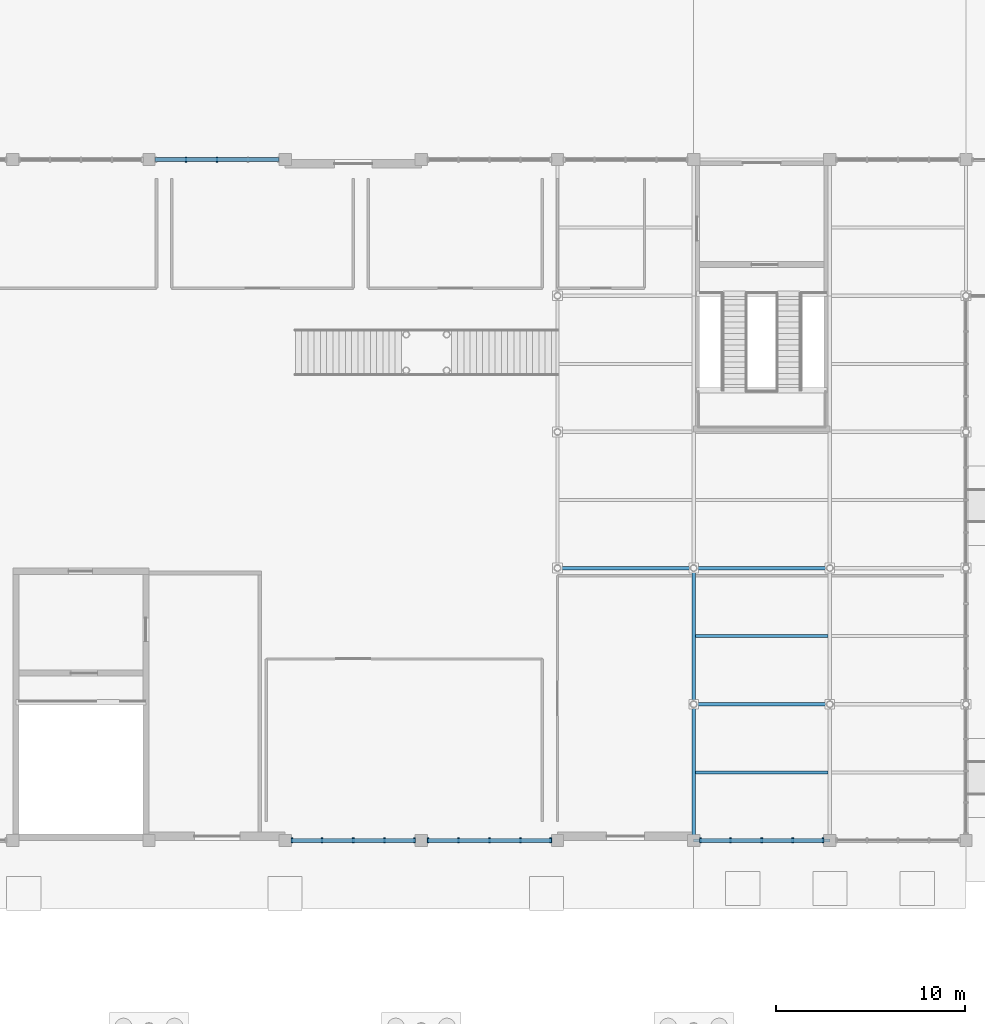
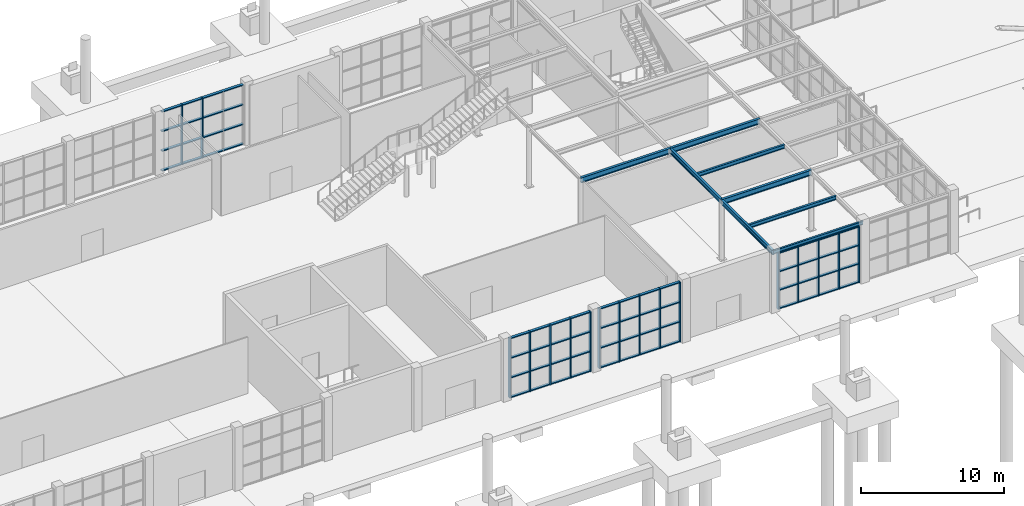
# One storey, part 24 of 75: 33 members, 8 beams, 4 elements without a shape of their own.
"""IFC4 building model written with IfcOpenShell, lengths in metres."""

from ifc_helpers import new_model, si_unit, direction, frame, origin, origin_2d, place, context, subcontext, project, spatial, rectangle, i_section, extrude, material, material_profile, profile_set, type_object, element, aggregate, save


model = new_model("IFC4")

# Units and contexts
model_context = context("Model", 3, precision=1e-05, world=origin(), true_north=direction((0.0, 1.0)))
body_context = subcontext(model_context, "Body", "Model", "MODEL_VIEW")
ifc_project = project(units=[si_unit("LENGTHUNIT", "METRE"), si_unit("AREAUNIT", "SQUARE_METRE"), si_unit("VOLUMEUNIT", "CUBIC_METRE"), si_unit("PLANEANGLEUNIT", "RADIAN"), si_unit("MASSUNIT", "GRAM", prefix="KILO")], contexts=[model_context])

# Site, building, storey
site_placement = place(None, origin())
site = spatial("IfcSite", under=ifc_project, at=site_placement, CompositionType="ELEMENT")
building_placement = place(site_placement, origin())
building = spatial("IfcBuilding", under=site, at=building_placement, Name="Leyfeld Transit Interchange", CompositionType="ELEMENT")
storey_placement = place(building_placement, origin())
storey = spatial("IfcBuildingStorey", under=building, at=storey_placement, Name="L00", CompositionType="ELEMENT", Elevation=0.0)

# Beams
ifc_material_1 = material(Name="Steel S355J2", Category="steel")
ifc_material_profile_1 = material_profile(ifc_material_1, i_section(OverallWidth=0.14990234375, OverallDepth=0.300048828125, WebThickness=0.007080078125, FlangeThickness=0.0107421875, FilletRadius=0.014892578125, at=origin_2d()), Name="IPE 300")
ifc_profile_set_1 = profile_set([ifc_material_profile_1], Name="Steel S355J2")
beam_type_1 = type_object("IfcBeamType", Name="BM-STL-IPE300", PredefinedType="SPANDREL", material=ifc_profile_set_1)
beam_1_placement = place(storey_placement, frame((86.39990234375, 14.39990234375, 4.949951171875), z_axis=(1.0, 0.0, 0.0), x_axis=(0.0, 1.0, 0.0)))
element("IfcBeam", 1, at=beam_1_placement, inside=storey, type_object=beam_type_1, Name="Beam BM-L00-0864_0144-0936_0144", PredefinedType="SPANDREL", context=body_context, shape_type="SweptSolid", body=[
    extrude(i_section(OverallWidth=0.14990234375, OverallDepth=0.300048828125, WebThickness=0.007080078125, FlangeThickness=0.0107421875, FilletRadius=0.014892578125, at=origin_2d()), origin(), (0.0, 0.0, 1.0), 7.2001953125),
])
ifc_material_profile_2 = material_profile(ifc_material_1, i_section(OverallWidth=0.159912109375, OverallDepth=0.330078125, WebThickness=0.007568359375, FlangeThickness=0.011474609375, FilletRadius=0.01806640625, at=origin_2d()), Name="IPE 330")
ifc_profile_set_2 = profile_set([ifc_material_profile_2], Name="Steel S355J2")
beam_type_2 = type_object("IfcBeamType", Name="BM-STL-IPE330", PredefinedType="BEAM", material=ifc_profile_set_2)
for number, where, z_axis, x_axis, name in (
    (2, (86.487060546875, 18.0, 4.93505859375), (1.0, 0.0, 0.0), (0.0, 1.0, 0.0), "Beam BM-L00-0865_0180-0935_0180"),
    (3, (86.487060546875, 25.199951171875, 4.93505859375), (1.0, 0.0, 0.0), (0.0, 1.0, 0.0), "Beam BM-L00-0865_0252-0935_0252"),
):
    element("IfcBeam", number, at=place(storey_placement, frame(where, z_axis=z_axis, x_axis=x_axis)), inside=storey, type_object=beam_type_2, Name=name, PredefinedType="BEAM", context=body_context, shape_type="SweptSolid", body=[
        extrude(i_section(OverallWidth=0.159912109375, OverallDepth=0.330078125, WebThickness=0.007568359375, FlangeThickness=0.011474609375, FilletRadius=0.01806640625, at=origin_2d()), origin(), (0.0, 0.0, 1.0), 7.02587890625),
    ])
ifc_material_profile_3 = material_profile(ifc_material_1, i_section(OverallWidth=0.179931640625, OverallDepth=0.39990234375, WebThickness=0.008544921875, FlangeThickness=0.013427734375, FilletRadius=0.02099609375, at=origin_2d()), Name="IPE 400")
ifc_profile_set_3 = profile_set([ifc_material_profile_3], Name="Steel S355J2")
beam_type_3 = type_object("IfcBeamType", Name="BM-STL-IPE400", PredefinedType="BEAM", material=ifc_profile_set_3)
beam_2_placement = place(storey_placement, frame((86.39990234375, 14.39990234375, 4.89990234375), z_axis=(0.0, 1.0, 0.0), x_axis=(-1.0, 0.0, 0.0)))
element("IfcBeam", 4, at=beam_2_placement, inside=storey, type_object=beam_type_3, Name="Beam BM-L00-0864_0144-0864_0216", PredefinedType="BEAM", context=body_context, shape_type="SweptSolid", body=[
    extrude(i_section(OverallWidth=0.179931640625, OverallDepth=0.39990234375, WebThickness=0.008544921875, FlangeThickness=0.013427734375, FilletRadius=0.02099609375, at=origin_2d()), origin(), (0.0, 0.0, 1.0), 7.2001953125),
])
beam_3_placement = place(storey_placement, frame((86.39990234375, 21.60009765625, 4.89990234375), z_axis=(0.0, 1.0, 0.0), x_axis=(-1.0, 0.0, 0.0)))
element("IfcBeam", 5, at=beam_3_placement, inside=storey, type_object=beam_type_3, Name="Beam BM-L00-0864_0216-0864_0288", PredefinedType="BEAM", context=body_context, shape_type="SweptSolid", body=[
    extrude(i_section(OverallWidth=0.179931640625, OverallDepth=0.39990234375, WebThickness=0.008544921875, FlangeThickness=0.013427734375, FilletRadius=0.02099609375, at=origin_2d()), origin(), (0.0, 0.0, 1.0), 7.199951171875),
])
ifc_material_profile_4 = material_profile(ifc_material_1, i_section(OverallWidth=0.18994140625, OverallDepth=0.449951171875, WebThickness=0.009521484375, FlangeThickness=0.0146484375, FilletRadius=0.02099609375, at=origin_2d()), Name="IPE 450")
ifc_profile_set_4 = profile_set([ifc_material_profile_4], Name="Steel S355J2")
beam_type_4 = type_object("IfcBeamType", Name="BM-STL-IPE450", PredefinedType="BEAM", material=ifc_profile_set_4)
beam_4_placement = place(storey_placement, frame((86.39990234375, 21.60009765625, 4.875), z_axis=(1.0, 0.0, 0.0), x_axis=(0.0, 1.0, 0.0)))
element("IfcBeam", 6, at=beam_4_placement, inside=storey, type_object=beam_type_4, Name="Beam BM-L00-0864_0216-0936_0216", PredefinedType="BEAM", context=body_context, shape_type="SweptSolid", body=[
    extrude(i_section(OverallWidth=0.18994140625, OverallDepth=0.449951171875, WebThickness=0.009521484375, FlangeThickness=0.0146484375, FilletRadius=0.02099609375, at=origin_2d()), origin(), (0.0, 0.0, 1.0), 7.2001953125),
])
beam_5_placement = place(storey_placement, frame((79.199951171875, 28.800048828125, 4.875), z_axis=(1.0, 0.0, 0.0), x_axis=(0.0, 1.0, 0.0)))
element("IfcBeam", 7, at=beam_5_placement, inside=storey, type_object=beam_type_4, Name="Beam BM-L00-0792_0288-0864_0288", PredefinedType="BEAM", context=body_context, shape_type="SweptSolid", body=[
    extrude(i_section(OverallWidth=0.18994140625, OverallDepth=0.449951171875, WebThickness=0.009521484375, FlangeThickness=0.0146484375, FilletRadius=0.02099609375, at=origin_2d()), origin(), (0.0, 0.0, 1.0), 7.199951171875),
])
beam_6_placement = place(storey_placement, frame((86.39990234375, 28.800048828125, 4.875), z_axis=(1.0, 0.0, 0.0), x_axis=(0.0, 1.0, 0.0)))
element("IfcBeam", 8, at=beam_6_placement, inside=storey, type_object=beam_type_4, Name="Beam BM-L00-0864_0288-0936_0288", PredefinedType="BEAM", context=body_context, shape_type="SweptSolid", body=[
    extrude(i_section(OverallWidth=0.18994140625, OverallDepth=0.449951171875, WebThickness=0.009521484375, FlangeThickness=0.0146484375, FilletRadius=0.02099609375, at=origin_2d()), origin(), (0.0, 0.0, 1.0), 7.2001953125),
])

# Curtain wall, members
ifc_material_2 = material(Name="Anodised aluminium EN AW-6060 T66", Category="aluminium")
curtain_wall_type = type_object("IfcCurtainWallType", Name="CW-SYS-ARC-7200", PredefinedType="NOTDEFINED", material=ifc_material_2)
curtain_wall_1_placement = place(storey_placement, origin())
curtain_wall_1 = element("IfcCurtainWall", 9, at=curtain_wall_1_placement, inside=storey, type_object=curtain_wall_type, Name="Curtain Wall CW-L00-016", PredefinedType="NOTDEFINED")
ifc_material_profile_5 = material_profile(ifc_material_2, rectangle(XDim=0.0849609375, YDim=0.260009765625, at=origin_2d()), Name="CW-M 85x260")
ifc_profile_set_5 = profile_set([ifc_material_profile_5], Name="Anodised aluminium EN AW-6060 T66")
member_type_1 = type_object("IfcMemberType", Name="CW-MUL-220x80", PredefinedType="MULLION", material=ifc_profile_set_5)
member_1_placement = place(storey_placement, frame((59.5576171875, 50.39990234375, 0.0), z_axis=(0.0, 0.0, 1.0), x_axis=(1.0, 0.0, 0.0)))
member_1 = element("IfcMember", 10, at=member_1_placement, type_object=member_type_1, Name="Curtain Mullion CW-L00-016-M02", PredefinedType="MULLION", context=body_context, shape_type="SweptSolid", body=[
    extrude(rectangle(XDim=0.0849609375, YDim=0.260009765625, at=origin_2d()), origin(), (0.0, 0.0, 1.0), 5.10009765625),
])
member_2_placement = place(storey_placement, frame((61.199951171875, 50.39990234375, 0.0), z_axis=(0.0, 0.0, 1.0), x_axis=(1.0, 0.0, 0.0)))
member_2 = element("IfcMember", 11, at=member_2_placement, type_object=member_type_1, Name="Curtain Mullion CW-L00-016-M03", PredefinedType="MULLION", context=body_context, shape_type="SweptSolid", body=[
    extrude(rectangle(XDim=0.0849609375, YDim=0.260009765625, at=origin_2d()), origin(), (0.0, 0.0, 1.0), 5.10009765625),
])

curtain_wall_2_placement = place(storey_placement, origin())
curtain_wall_2 = element("IfcCurtainWall", 12, at=curtain_wall_2_placement, inside=storey, type_object=curtain_wall_type, Name="Curtain Wall CW-L00-033", PredefinedType="NOTDEFINED")
member_3_placement = place(storey_placement, frame((93.242431640625, 14.39990234375, 0.0), z_axis=(0.0, 0.0, 1.0), x_axis=(-1.0, 0.0, 0.0)))
member_3 = element("IfcMember", 13, at=member_3_placement, type_object=member_type_1, Name="Curtain Mullion CW-L00-033-M01", PredefinedType="MULLION", context=body_context, shape_type="SweptSolid", body=[
    extrude(rectangle(XDim=0.0849609375, YDim=0.260009765625, at=origin_2d()), origin(), (0.0, 0.0, 1.0), 4.800048828125),
])
member_4_placement = place(storey_placement, frame((91.642578125, 14.39990234375, 0.0), z_axis=(0.0, 0.0, 1.0), x_axis=(-1.0, 0.0, 0.0)))
member_4 = element("IfcMember", 14, at=member_4_placement, type_object=member_type_1, Name="Curtain Mullion CW-L00-033-M02", PredefinedType="MULLION", context=body_context, shape_type="SweptSolid", body=[
    extrude(rectangle(XDim=0.0849609375, YDim=0.260009765625, at=origin_2d()), origin(), (0.0, 0.0, 1.0), 4.800048828125),
])
member_5_placement = place(storey_placement, frame((90.0, 14.39990234375, 0.0), z_axis=(0.0, 0.0, 1.0), x_axis=(-1.0, 0.0, 0.0)))
member_5 = element("IfcMember", 15, at=member_5_placement, type_object=member_type_1, Name="Curtain Mullion CW-L00-033-M03", PredefinedType="MULLION", context=body_context, shape_type="SweptSolid", body=[
    extrude(rectangle(XDim=0.0849609375, YDim=0.260009765625, at=origin_2d()), origin(), (0.0, 0.0, 1.0), 4.800048828125),
])
member_6_placement = place(storey_placement, frame((88.357421875, 14.39990234375, 0.0), z_axis=(0.0, 0.0, 1.0), x_axis=(-1.0, 0.0, 0.0)))
member_6 = element("IfcMember", 16, at=member_6_placement, type_object=member_type_1, Name="Curtain Mullion CW-L00-033-M04", PredefinedType="MULLION", context=body_context, shape_type="SweptSolid", body=[
    extrude(rectangle(XDim=0.0849609375, YDim=0.260009765625, at=origin_2d()), origin(), (0.0, 0.0, 1.0), 4.800048828125),
])
member_7_placement = place(storey_placement, frame((86.757568359375, 14.39990234375, 0.0), z_axis=(0.0, 0.0, 1.0), x_axis=(-1.0, 0.0, 0.0)))
member_7 = element("IfcMember", 17, at=member_7_placement, type_object=member_type_1, Name="Curtain Mullion CW-L00-033-M05", PredefinedType="MULLION", context=body_context, shape_type="SweptSolid", body=[
    extrude(rectangle(XDim=0.0849609375, YDim=0.260009765625, at=origin_2d()), origin(), (0.0, 0.0, 1.0), 4.800048828125),
])

curtain_wall_3_placement = place(storey_placement, origin())
curtain_wall_3 = element("IfcCurtainWall", 18, at=curtain_wall_3_placement, inside=storey, type_object=curtain_wall_type, Name="Curtain Wall CW-L00-034", PredefinedType="NOTDEFINED")
member_8_placement = place(storey_placement, frame((78.842529296875, 14.39990234375, 0.0), z_axis=(0.0, 0.0, 1.0), x_axis=(-1.0, 0.0, 0.0)))
member_8 = element("IfcMember", 19, at=member_8_placement, type_object=member_type_1, Name="Curtain Mullion CW-L00-034-M01", PredefinedType="MULLION", context=body_context, shape_type="SweptSolid", body=[
    extrude(rectangle(XDim=0.0849609375, YDim=0.260009765625, at=origin_2d()), origin(), (0.0, 0.0, 1.0), 5.10009765625),
])
member_9_placement = place(storey_placement, frame((77.242431640625, 14.39990234375, 0.0), z_axis=(0.0, 0.0, 1.0), x_axis=(-1.0, 0.0, 0.0)))
member_9 = element("IfcMember", 20, at=member_9_placement, type_object=member_type_1, Name="Curtain Mullion CW-L00-034-M02", PredefinedType="MULLION", context=body_context, shape_type="SweptSolid", body=[
    extrude(rectangle(XDim=0.0849609375, YDim=0.260009765625, at=origin_2d()), origin(), (0.0, 0.0, 1.0), 5.10009765625),
])
member_10_placement = place(storey_placement, frame((75.60009765625, 14.39990234375, 0.0), z_axis=(0.0, 0.0, 1.0), x_axis=(-1.0, 0.0, 0.0)))
member_10 = element("IfcMember", 21, at=member_10_placement, type_object=member_type_1, Name="Curtain Mullion CW-L00-034-M03", PredefinedType="MULLION", context=body_context, shape_type="SweptSolid", body=[
    extrude(rectangle(XDim=0.0849609375, YDim=0.260009765625, at=origin_2d()), origin(), (0.0, 0.0, 1.0), 5.10009765625),
])
member_11_placement = place(storey_placement, frame((73.95751953125, 14.39990234375, 0.0), z_axis=(0.0, 0.0, 1.0), x_axis=(-1.0, 0.0, 0.0)))
member_11 = element("IfcMember", 22, at=member_11_placement, type_object=member_type_1, Name="Curtain Mullion CW-L00-034-M04", PredefinedType="MULLION", context=body_context, shape_type="SweptSolid", body=[
    extrude(rectangle(XDim=0.0849609375, YDim=0.260009765625, at=origin_2d()), origin(), (0.0, 0.0, 1.0), 5.10009765625),
])
member_12_placement = place(storey_placement, frame((72.357421875, 14.39990234375, 0.0), z_axis=(0.0, 0.0, 1.0), x_axis=(-1.0, 0.0, 0.0)))
member_12 = element("IfcMember", 23, at=member_12_placement, type_object=member_type_1, Name="Curtain Mullion CW-L00-034-M05", PredefinedType="MULLION", context=body_context, shape_type="SweptSolid", body=[
    extrude(rectangle(XDim=0.0849609375, YDim=0.260009765625, at=origin_2d()), origin(), (0.0, 0.0, 1.0), 5.10009765625),
])

curtain_wall_4_placement = place(storey_placement, origin())
curtain_wall_4 = element("IfcCurtainWall", 24, at=curtain_wall_4_placement, inside=storey, type_object=curtain_wall_type, Name="Curtain Wall CW-L00-035", PredefinedType="NOTDEFINED")
member_13_placement = place(storey_placement, frame((71.642578125, 14.39990234375, 0.0), z_axis=(0.0, 0.0, 1.0), x_axis=(-1.0, 0.0, 0.0)))
member_13 = element("IfcMember", 25, at=member_13_placement, type_object=member_type_1, Name="Curtain Mullion CW-L00-035-M01", PredefinedType="MULLION", context=body_context, shape_type="SweptSolid", body=[
    extrude(rectangle(XDim=0.0849609375, YDim=0.260009765625, at=origin_2d()), origin(), (0.0, 0.0, 1.0), 5.10009765625),
])
member_14_placement = place(storey_placement, frame((70.04248046875, 14.39990234375, 0.0), z_axis=(0.0, 0.0, 1.0), x_axis=(-1.0, 0.0, 0.0)))
member_14 = element("IfcMember", 26, at=member_14_placement, type_object=member_type_1, Name="Curtain Mullion CW-L00-035-M02", PredefinedType="MULLION", context=body_context, shape_type="SweptSolid", body=[
    extrude(rectangle(XDim=0.0849609375, YDim=0.260009765625, at=origin_2d()), origin(), (0.0, 0.0, 1.0), 5.10009765625),
])
member_15_placement = place(storey_placement, frame((68.39990234375, 14.39990234375, 0.0), z_axis=(0.0, 0.0, 1.0), x_axis=(-1.0, 0.0, 0.0)))
member_15 = element("IfcMember", 27, at=member_15_placement, type_object=member_type_1, Name="Curtain Mullion CW-L00-035-M03", PredefinedType="MULLION", context=body_context, shape_type="SweptSolid", body=[
    extrude(rectangle(XDim=0.0849609375, YDim=0.260009765625, at=origin_2d()), origin(), (0.0, 0.0, 1.0), 5.10009765625),
])
member_16_placement = place(storey_placement, frame((66.757568359375, 14.39990234375, 0.0), z_axis=(0.0, 0.0, 1.0), x_axis=(-1.0, 0.0, 0.0)))
member_16 = element("IfcMember", 28, at=member_16_placement, type_object=member_type_1, Name="Curtain Mullion CW-L00-035-M04", PredefinedType="MULLION", context=body_context, shape_type="SweptSolid", body=[
    extrude(rectangle(XDim=0.0849609375, YDim=0.260009765625, at=origin_2d()), origin(), (0.0, 0.0, 1.0), 5.10009765625),
])
member_17_placement = place(storey_placement, frame((65.157470703125, 14.39990234375, 0.0), z_axis=(0.0, 0.0, 1.0), x_axis=(-1.0, 0.0, 0.0)))
member_17 = element("IfcMember", 29, at=member_17_placement, type_object=member_type_1, Name="Curtain Mullion CW-L00-035-M05", PredefinedType="MULLION", context=body_context, shape_type="SweptSolid", body=[
    extrude(rectangle(XDim=0.0849609375, YDim=0.260009765625, at=origin_2d()), origin(), (0.0, 0.0, 1.0), 5.10009765625),
])

# Member
ifc_material_profile_6 = material_profile(ifc_material_2, rectangle(XDim=0.2099609375, YDim=0.0849609375, at=origin_2d()), Name="CW-TRN-200x80")
ifc_profile_set_6 = profile_set([ifc_material_profile_6], Name="Anodised aluminium EN AW-6060 T66")
member_type_2 = type_object("IfcMemberType", Name="CW-TRN-200x80", PredefinedType="USERDEFINED", material=ifc_profile_set_6)
member_18_placement = place(storey_placement, frame((57.9150390625, 50.39990234375, 0.04248046875), z_axis=(1.0, 0.0, 0.0), x_axis=(0.0, 1.0, 0.0)))
member_18 = element("IfcMember", 30, at=member_18_placement, type_object=member_type_2, Name="Curtain Transom CW-L00-016-T01", ObjectType="TRANSOM", PredefinedType="USERDEFINED", context=body_context, shape_type="SweptSolid", body=[
    extrude(rectangle(XDim=0.2099609375, YDim=0.0849609375, at=origin_2d()), origin(), (0.0, 0.0, 1.0), 6.570068359375),
])

member_19_placement = place(storey_placement, frame((57.9150390625, 50.39990234375, 1.714111328125), z_axis=(1.0, 0.0, 0.0), x_axis=(0.0, 1.0, 0.0)))
member_19 = element("IfcMember", 31, at=member_19_placement, type_object=member_type_2, Name="Curtain Transom CW-L00-016-T02", ObjectType="TRANSOM", PredefinedType="USERDEFINED", context=body_context, shape_type="SweptSolid", body=[
    extrude(rectangle(XDim=0.2099609375, YDim=0.0849609375, at=origin_2d()), origin(), (0.0, 0.0, 1.0), 6.570068359375),
])

member_20_placement = place(storey_placement, frame((57.9150390625, 50.39990234375, 3.3857421875), z_axis=(1.0, 0.0, 0.0), x_axis=(0.0, 1.0, 0.0)))
member_20 = element("IfcMember", 32, at=member_20_placement, type_object=member_type_2, Name="Curtain Transom CW-L00-016-T03", ObjectType="TRANSOM", PredefinedType="USERDEFINED", context=body_context, shape_type="SweptSolid", body=[
    extrude(rectangle(XDim=0.2099609375, YDim=0.0849609375, at=origin_2d()), origin(), (0.0, 0.0, 1.0), 6.570068359375),
])

member_21_placement = place(storey_placement, frame((57.9150390625, 50.39990234375, 5.0576171875), z_axis=(1.0, 0.0, 0.0), x_axis=(0.0, 1.0, 0.0)))
member_21 = element("IfcMember", 33, at=member_21_placement, type_object=member_type_2, Name="Curtain Transom CW-L00-016-T04", ObjectType="TRANSOM", PredefinedType="USERDEFINED", context=body_context, shape_type="SweptSolid", body=[
    extrude(rectangle(XDim=0.2099609375, YDim=0.0849609375, at=origin_2d()), origin(), (0.0, 0.0, 1.0), 6.570068359375),
])

aggregate(curtain_wall_1, [member_1, member_2, member_18, member_19, member_20, member_21])

member_22_placement = place(storey_placement, frame((93.284912109375, 14.39990234375, 0.04248046875), z_axis=(-1.0, 0.0, 0.0), x_axis=(0.0, -1.0, 0.0)))
member_22 = element("IfcMember", 34, at=member_22_placement, type_object=member_type_2, Name="Curtain Transom CW-L00-033-T01", ObjectType="TRANSOM", PredefinedType="USERDEFINED", context=body_context, shape_type="SweptSolid", body=[
    extrude(rectangle(XDim=0.2099609375, YDim=0.0849609375, at=origin_2d()), origin(), (0.0, 0.0, 1.0), 6.56982421875),
])

member_23_placement = place(storey_placement, frame((93.284912109375, 14.39990234375, 1.6142578125), z_axis=(-1.0, 0.0, 0.0), x_axis=(0.0, -1.0, 0.0)))
member_23 = element("IfcMember", 35, at=member_23_placement, type_object=member_type_2, Name="Curtain Transom CW-L00-033-T02", ObjectType="TRANSOM", PredefinedType="USERDEFINED", context=body_context, shape_type="SweptSolid", body=[
    extrude(rectangle(XDim=0.2099609375, YDim=0.0849609375, at=origin_2d()), origin(), (0.0, 0.0, 1.0), 6.56982421875),
])

member_24_placement = place(storey_placement, frame((93.284912109375, 14.39990234375, 3.185791015625), z_axis=(-1.0, 0.0, 0.0), x_axis=(0.0, -1.0, 0.0)))
member_24 = element("IfcMember", 36, at=member_24_placement, type_object=member_type_2, Name="Curtain Transom CW-L00-033-T03", ObjectType="TRANSOM", PredefinedType="USERDEFINED", context=body_context, shape_type="SweptSolid", body=[
    extrude(rectangle(XDim=0.2099609375, YDim=0.0849609375, at=origin_2d()), origin(), (0.0, 0.0, 1.0), 6.56982421875),
])

member_25_placement = place(storey_placement, frame((93.284912109375, 14.39990234375, 4.757568359375), z_axis=(-1.0, 0.0, 0.0), x_axis=(0.0, -1.0, 0.0)))
member_25 = element("IfcMember", 37, at=member_25_placement, type_object=member_type_2, Name="Curtain Transom CW-L00-033-T04", ObjectType="TRANSOM", PredefinedType="USERDEFINED", context=body_context, shape_type="SweptSolid", body=[
    extrude(rectangle(XDim=0.2099609375, YDim=0.0849609375, at=origin_2d()), origin(), (0.0, 0.0, 1.0), 6.56982421875),
])

aggregate(curtain_wall_2, [member_3, member_4, member_5, member_6, member_7, member_22, member_23, member_24, member_25])

member_26_placement = place(storey_placement, frame((78.885009765625, 14.39990234375, 0.04248046875), z_axis=(-1.0, 0.0, 0.0), x_axis=(0.0, -1.0, 0.0)))
member_26 = element("IfcMember", 38, at=member_26_placement, type_object=member_type_2, Name="Curtain Transom CW-L00-034-T01", ObjectType="TRANSOM", PredefinedType="USERDEFINED", context=body_context, shape_type="SweptSolid", body=[
    extrude(rectangle(XDim=0.2099609375, YDim=0.0849609375, at=origin_2d()), origin(), (0.0, 0.0, 1.0), 6.570068359375),
])

member_27_placement = place(storey_placement, frame((78.885009765625, 14.39990234375, 1.714111328125), z_axis=(-1.0, 0.0, 0.0), x_axis=(0.0, -1.0, 0.0)))
member_27 = element("IfcMember", 39, at=member_27_placement, type_object=member_type_2, Name="Curtain Transom CW-L00-034-T02", ObjectType="TRANSOM", PredefinedType="USERDEFINED", context=body_context, shape_type="SweptSolid", body=[
    extrude(rectangle(XDim=0.2099609375, YDim=0.0849609375, at=origin_2d()), origin(), (0.0, 0.0, 1.0), 6.570068359375),
])

member_28_placement = place(storey_placement, frame((78.885009765625, 14.39990234375, 3.3857421875), z_axis=(-1.0, 0.0, 0.0), x_axis=(0.0, -1.0, 0.0)))
member_28 = element("IfcMember", 40, at=member_28_placement, type_object=member_type_2, Name="Curtain Transom CW-L00-034-T03", ObjectType="TRANSOM", PredefinedType="USERDEFINED", context=body_context, shape_type="SweptSolid", body=[
    extrude(rectangle(XDim=0.2099609375, YDim=0.0849609375, at=origin_2d()), origin(), (0.0, 0.0, 1.0), 6.570068359375),
])

member_29_placement = place(storey_placement, frame((78.885009765625, 14.39990234375, 5.0576171875), z_axis=(-1.0, 0.0, 0.0), x_axis=(0.0, -1.0, 0.0)))
member_29 = element("IfcMember", 41, at=member_29_placement, type_object=member_type_2, Name="Curtain Transom CW-L00-034-T04", ObjectType="TRANSOM", PredefinedType="USERDEFINED", context=body_context, shape_type="SweptSolid", body=[
    extrude(rectangle(XDim=0.2099609375, YDim=0.0849609375, at=origin_2d()), origin(), (0.0, 0.0, 1.0), 6.570068359375),
])

aggregate(curtain_wall_3, [member_8, member_9, member_10, member_11, member_12, member_26, member_27, member_28, member_29])

member_30_placement = place(storey_placement, frame((71.68505859375, 14.39990234375, 0.04248046875), z_axis=(-1.0, 0.0, 0.0), x_axis=(0.0, -1.0, 0.0)))
member_30 = element("IfcMember", 42, at=member_30_placement, type_object=member_type_2, Name="Curtain Transom CW-L00-035-T01", ObjectType="TRANSOM", PredefinedType="USERDEFINED", context=body_context, shape_type="SweptSolid", body=[
    extrude(rectangle(XDim=0.2099609375, YDim=0.0849609375, at=origin_2d()), origin(), (0.0, 0.0, 1.0), 6.570068359375),
])

member_31_placement = place(storey_placement, frame((71.68505859375, 14.39990234375, 1.714111328125), z_axis=(-1.0, 0.0, 0.0), x_axis=(0.0, -1.0, 0.0)))
member_31 = element("IfcMember", 43, at=member_31_placement, type_object=member_type_2, Name="Curtain Transom CW-L00-035-T02", ObjectType="TRANSOM", PredefinedType="USERDEFINED", context=body_context, shape_type="SweptSolid", body=[
    extrude(rectangle(XDim=0.2099609375, YDim=0.0849609375, at=origin_2d()), origin(), (0.0, 0.0, 1.0), 6.570068359375),
])

member_32_placement = place(storey_placement, frame((71.68505859375, 14.39990234375, 3.3857421875), z_axis=(-1.0, 0.0, 0.0), x_axis=(0.0, -1.0, 0.0)))
member_32 = element("IfcMember", 44, at=member_32_placement, type_object=member_type_2, Name="Curtain Transom CW-L00-035-T03", ObjectType="TRANSOM", PredefinedType="USERDEFINED", context=body_context, shape_type="SweptSolid", body=[
    extrude(rectangle(XDim=0.2099609375, YDim=0.0849609375, at=origin_2d()), origin(), (0.0, 0.0, 1.0), 6.570068359375),
])

member_33_placement = place(storey_placement, frame((71.68505859375, 14.39990234375, 5.0576171875), z_axis=(-1.0, 0.0, 0.0), x_axis=(0.0, -1.0, 0.0)))
member_33 = element("IfcMember", 45, at=member_33_placement, type_object=member_type_2, Name="Curtain Transom CW-L00-035-T04", ObjectType="TRANSOM", PredefinedType="USERDEFINED", context=body_context, shape_type="SweptSolid", body=[
    extrude(rectangle(XDim=0.2099609375, YDim=0.0849609375, at=origin_2d()), origin(), (0.0, 0.0, 1.0), 6.570068359375),
])

aggregate(curtain_wall_4, [member_13, member_14, member_15, member_16, member_17, member_30, member_31, member_32, member_33])

save(model, "model.ifc")
